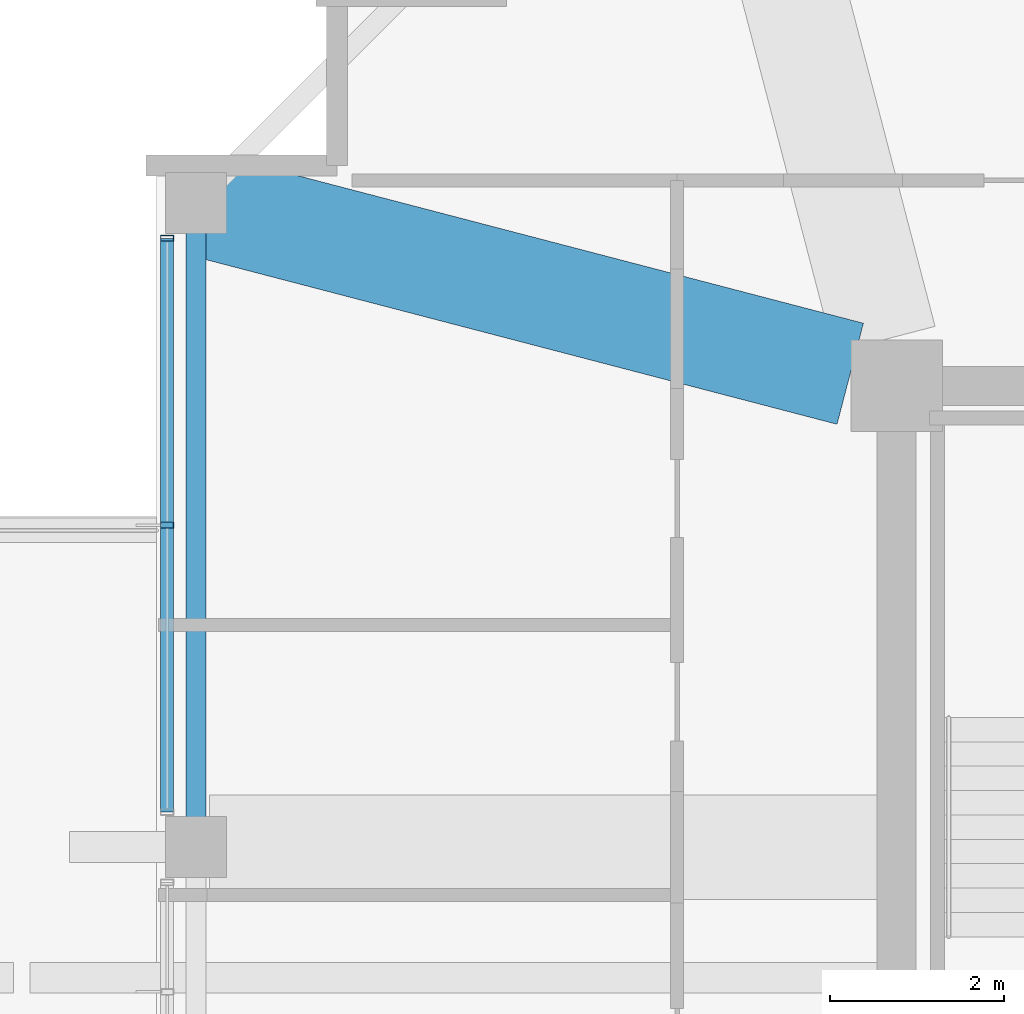
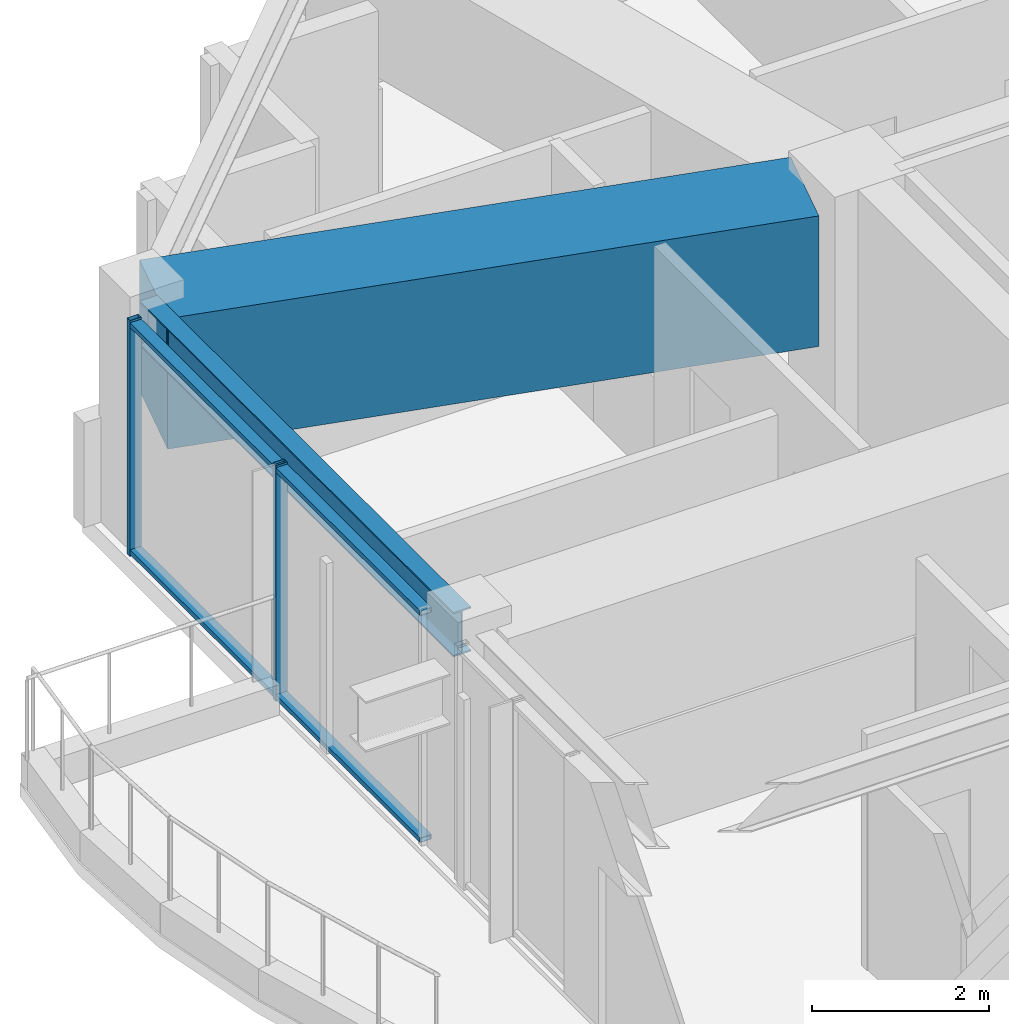
# One storey, part 9 of 31: 4 members, 2 beams, 1 element without a shape of its own.
"""IFC4 building model written with IfcOpenShell, lengths in metres."""

from ifc_helpers import new_model, si_unit, direction, frame, origin, origin_2d, place, context, subcontext, project, spatial, rectangle, hollow_rectangle, i_section, extrude, material, material_profile, profile_set, type_object, element, aggregate, save


model = new_model("IFC4")

# Units and contexts
model_context = context("Model", 3, precision=1e-05, world=origin(), true_north=direction((0.0, 1.0)))
body_context = subcontext(model_context, "Body", "Model", "MODEL_VIEW")
ifc_project = project(units=[si_unit("LENGTHUNIT", "METRE"), si_unit("AREAUNIT", "SQUARE_METRE"), si_unit("VOLUMEUNIT", "CUBIC_METRE"), si_unit("PLANEANGLEUNIT", "RADIAN"), si_unit("MASSUNIT", "GRAM", prefix="KILO")], contexts=[model_context])

# Site, building, storey
site_placement = place(None, origin())
site = spatial("IfcSite", under=ifc_project, at=site_placement, CompositionType="ELEMENT")
building_placement = place(site_placement, origin())
building = spatial("IfcBuilding", under=site, at=building_placement, Name="Kolvaren Belvedere", CompositionType="ELEMENT")
storey_placement = place(building_placement, frame((0.0, 0.0, 237.39990234375)))
storey = spatial("IfcBuildingStorey", under=building, at=storey_placement, Name="L69", CompositionType="ELEMENT", Elevation=237.39990234375)

# Beams
ifc_material_1 = material(Name="Structural steel ASTM A992 Grade 50", Category="steel")
ifc_material_profile_1 = material_profile(ifc_material_1, i_section(OverallWidth=0.22900390625, OverallDepth=0.612060546875, WebThickness=0.011962890625, FlangeThickness=0.01953125, FilletRadius=0.01806640625, at=origin_2d()), Name="W24X84")
ifc_profile_set_1 = profile_set([ifc_material_profile_1], Name="Structural steel ASTM A992 Grade 50")
beam_type_1 = type_object("IfcBeamType", Name="BM-SPAN-W24X84", PredefinedType="SPANDREL", material=ifc_profile_set_1)
beam_1_placement = place(storey_placement, frame((-17.949951171875, 11.842529296875, 2.944091796875), z_axis=(0.0, -1.0, 0.0), x_axis=(1.0, 0.0, 0.0)))
element("IfcBeam", 1, at=beam_1_placement, inside=storey, type_object=beam_type_1, Name="L69 Perimeter Spandrel W4-W3", PredefinedType="SPANDREL", context=body_context, shape_type="SweptSolid", body=[
    extrude(i_section(OverallWidth=0.22900390625, OverallDepth=0.612060546875, WebThickness=0.011962890625, FlangeThickness=0.01953125, FilletRadius=0.01806640625, at=origin_2d()), origin(), (0.0, 0.0, 1.0), 7.0849609375),
])
ifc_material_2 = material(Name="Concrete C50/60", Category="concrete")
ifc_material_profile_2 = material_profile(ifc_material_2, rectangle(XDim=1.199951171875, YDim=1.800048828125, at=origin_2d()), Name="RC 1200X1800")
ifc_profile_set_2 = profile_set([ifc_material_profile_2], Name="Concrete C50/60")
beam_type_2 = type_object("IfcBeamType", Name="BM-TG-1800", PredefinedType="BEAM", material=ifc_profile_set_2)
beam_2_placement = place(storey_placement, frame((-10.43212890625, 10.038818359375, 2.35009765625), z_axis=(-0.967618631679, 0.25241668651, 0.0), x_axis=(-0.25241668651, -0.967618631679, 0.0)))
element("IfcBeam", 2, at=beam_2_placement, inside=storey, type_object=beam_type_2, Name="L69 Corner Core-to-Perimeter Girder CC4-W4", PredefinedType="BEAM", context=body_context, shape_type="SweptSolid", body=[
    extrude(rectangle(XDim=1.199951171875, YDim=1.800048828125, at=origin_2d()), origin(), (0.0, 0.0, 1.0), 7.62939453125),
])

# Curtain wall, members
ifc_material_3 = material(Name="Anodised pale-metal aluminium AA 6063-T6", Category="aluminium")
curtain_wall_type = type_object("IfcCurtainWallType", Name="CW-Z5-HIGH", PredefinedType="NOTDEFINED", material=ifc_material_3)
curtain_wall_placement = place(storey_placement, origin())
curtain_wall = element("IfcCurtainWall", 3, at=curtain_wall_placement, inside=storey, type_object=curtain_wall_type, Name="L69 Unitised Curtain Wall FCW-L69-W2-B2", PredefinedType="NOTDEFINED")
ifc_material_4 = material(Name="Anodised pale-metal aluminium AA 6063-T6", Category="aluminium")
ifc_material_profile_3 = material_profile(ifc_material_4, hollow_rectangle(XDim=0.070068359375, YDim=0.14990234375, WallThickness=0.004150390625, at=origin_2d()), Name="ALU-MUL-150X70")
ifc_profile_set_3 = profile_set([ifc_material_profile_3], Name="Anodised pale-metal aluminium AA 6063-T6")
member_type_1 = type_object("IfcMemberType", Name="CW-MUL-150", PredefinedType="MULLION", material=ifc_profile_set_3)
member_1_placement = place(storey_placement, frame((-18.280029296875, 8.300048828125, 0.0), z_axis=(0.0, 0.0, 1.0), x_axis=(0.0, 1.0, 0.0)))
member_1 = element("IfcMember", 4, at=member_1_placement, type_object=member_type_1, Name="FCW-L69-W2-B2 Unitised Mullion 2", PredefinedType="MULLION", context=body_context, shape_type="SweptSolid", body=[
    extrude(hollow_rectangle(XDim=0.070068359375, YDim=0.14990234375, WallThickness=0.004150390625, at=origin_2d()), origin(), (0.0, 0.0, 1.0), 3.25),
])
member_2_placement = place(storey_placement, frame((-18.280029296875, 11.594970703125, 0.0), z_axis=(0.0, 0.0, 1.0), x_axis=(0.0, 1.0, 0.0)))
member_2 = element("IfcMember", 5, at=member_2_placement, type_object=member_type_1, Name="FCW-L69-W2-B2 Unitised Mullion 3", PredefinedType="MULLION", context=body_context, shape_type="SweptSolid", body=[
    extrude(hollow_rectangle(XDim=0.070068359375, YDim=0.14990234375, WallThickness=0.004150390625, at=origin_2d()), origin(), (0.0, 0.0, 1.0), 3.25),
])
ifc_material_5 = material(Name="Anodised pale-metal aluminium AA 6063-T6", Category="aluminium")
ifc_material_profile_4 = material_profile(ifc_material_5, hollow_rectangle(XDim=0.06494140625, YDim=0.14990234375, WallThickness=0.00390625, at=origin_2d()), Name="ALU-TRN-150X65")
ifc_profile_set_4 = profile_set([ifc_material_profile_4], Name="Anodised pale-metal aluminium AA 6063-T6")
member_type_2 = type_object("IfcMemberType", Name="CW-TRN-150", PredefinedType="USERDEFINED", material=ifc_profile_set_4)
member_3_placement = place(storey_placement, frame((-18.280029296875, 5.0048828125, 0.06005859375), z_axis=(0.0, 1.0, 0.0), x_axis=(0.0, 0.0, 1.0)))
member_3 = element("IfcMember", 6, at=member_3_placement, type_object=member_type_2, Name="FCW-L69-W2-B2 Sill Transom", ObjectType="TRANSOM", PredefinedType="USERDEFINED", context=body_context, shape_type="SweptSolid", body=[
    extrude(hollow_rectangle(XDim=0.06494140625, YDim=0.14990234375, WallThickness=0.00390625, at=origin_2d()), origin(), (0.0, 0.0, 1.0), 6.590087890625),
])
member_4_placement = place(storey_placement, frame((-18.280029296875, 5.0048828125, 3.190185546875), z_axis=(0.0, 1.0, 0.0), x_axis=(0.0, 0.0, 1.0)))
member_4 = element("IfcMember", 7, at=member_4_placement, type_object=member_type_2, Name="FCW-L69-W2-B2 Head Transom", ObjectType="TRANSOM", PredefinedType="USERDEFINED", context=body_context, shape_type="SweptSolid", body=[
    extrude(hollow_rectangle(XDim=0.06494140625, YDim=0.14990234375, WallThickness=0.00390625, at=origin_2d()), origin(), (0.0, 0.0, 1.0), 6.590087890625),
])
aggregate(curtain_wall, [member_1, member_2, member_3, member_4])

save(model, "model.ifc")
